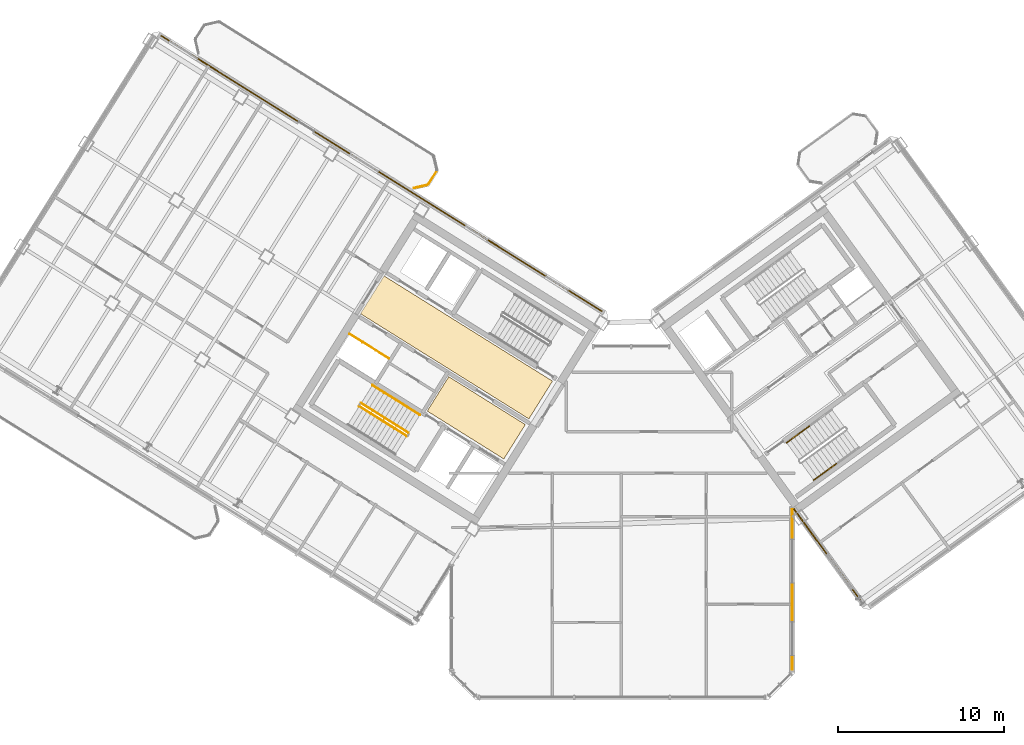
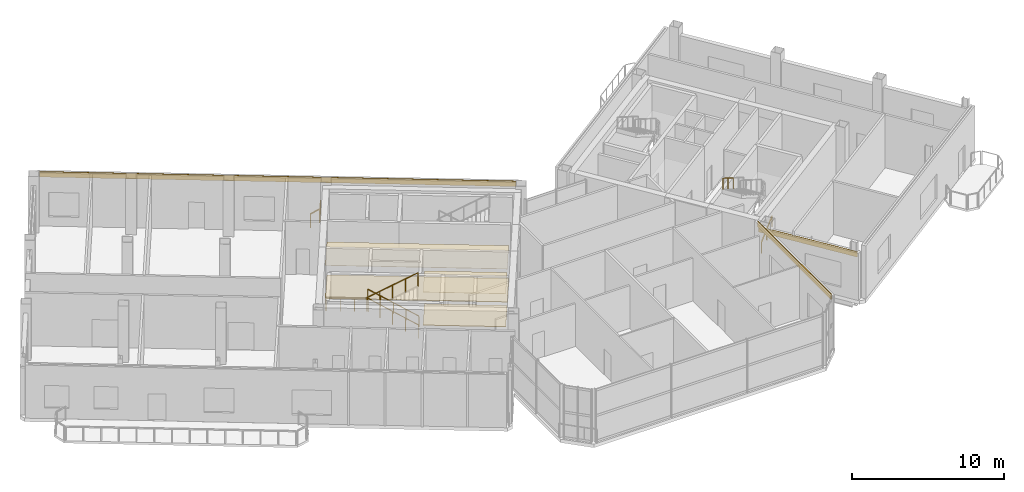
# One storey, part 24 of 27: 9 railings, 7 coverings.
"""IFC4 building model written with IfcOpenShell, lengths in metres."""

from ifc_helpers import new_model, si_unit, direction, frame, origin, origin_2d, place, context, subcontext, project, spatial, polyline, rectangle, outline, extrude, source, transform, mapped, material, layer, layer_set, type_object, element, save


model = new_model("IFC4")

# Units and contexts
model_context = context("Model", 3, precision=1e-05, world=origin(), true_north=direction((0.0, 1.0)))
body_context = subcontext(model_context, "Body", "Model", "MODEL_VIEW")
ifc_project = project(units=[si_unit("LENGTHUNIT", "METRE"), si_unit("AREAUNIT", "SQUARE_METRE"), si_unit("VOLUMEUNIT", "CUBIC_METRE"), si_unit("PLANEANGLEUNIT", "RADIAN"), si_unit("MASSUNIT", "GRAM", prefix="KILO")], contexts=[model_context])

# Site, building, storey
site_placement = place(None, origin())
site = spatial("IfcSite", under=ifc_project, at=site_placement, CompositionType="ELEMENT")
building_placement = place(site_placement, origin())
building = spatial("IfcBuilding", under=site, at=building_placement, Name="Tlacorven Tower", CompositionType="ELEMENT")
storey_placement = place(building_placement, frame((0.0, 0.0, 254.699951171875)))
storey = spatial("IfcBuildingStorey", under=building, at=storey_placement, Name="L64", CompositionType="ELEMENT", Elevation=254.699951171875)

# Coverings
ifc_material_1 = material(Name="Acoustic mineral-fibre ceiling")
ifc_layer_1 = layer(ifc_material_1, 0.02490234375)
ifc_layer_set_1 = layer_set([ifc_layer_1], Name="Acoustic mineral-fibre ceiling")
covering_type_1 = type_object("IfcCoveringType", Name="CV-CLG-ACST", PredefinedType="CEILING", material=ifc_layer_set_1)
covering_1_placement = place(storey_placement, frame((0.0, 0.0, 2.650146484375)))
element("IfcCovering", 1, at=covering_1_placement, inside=storey, type_object=covering_type_1, Name="L64 Acoustic Suspended Ceiling 1", PredefinedType="CEILING", context=body_context, shape_type="SweptSolid", body=[
    extrude(outline(polyline([(36.185302734375, 18.35595703125), (34.892333984375, 16.286865234375), (30.287353515625, 19.164306640625), (31.580322265625, 21.2333984375), (36.185302734375, 18.35595703125)])), origin(), (0.0, 0.0, 1.0), 0.02490234375),
])
covering_2_placement = place(storey_placement, frame((0.0, 0.0, 2.650146484375)))
element("IfcCovering", 2, at=covering_2_placement, inside=storey, type_object=covering_type_1, Name="L64 Acoustic Suspended Ceiling 2", PredefinedType="CEILING", context=body_context, shape_type="SweptSolid", body=[
    extrude(outline(polyline([(37.8173828125, 20.968017578125), (36.397216796875, 18.6953125), (26.271484375, 25.0224609375), (27.691650390625, 27.295166015625), (37.8173828125, 20.968017578125)])), origin(), (0.0, 0.0, 1.0), 0.02490234375),
])
ifc_material_2 = material(Name="Terrazzo and ceramic flooring")
ifc_layer_2 = layer(ifc_material_2, 0.0400390625)
ifc_layer_set_2 = layer_set([ifc_layer_2], Name="Terrazzo and ceramic flooring")
covering_type_2 = type_object("IfcCoveringType", Name="CV-FLR-TERZ", PredefinedType="FLOORING", material=ifc_layer_set_2)
covering_3_placement = place(storey_placement, origin())
element("IfcCovering", 3, at=covering_3_placement, inside=storey, type_object=covering_type_2, Name="L64 Terrazzo Floor Finish 1", PredefinedType="FLOORING", context=body_context, shape_type="SweptSolid", body=[
    extrude(outline(polyline([(36.185302734375, 18.35595703125), (34.892333984375, 16.286865234375), (30.287353515625, 19.164306640625), (31.580322265625, 21.2333984375), (36.185302734375, 18.35595703125)])), origin(), (0.0, 0.0, 1.0), 0.0400390625),
])
covering_4_placement = place(storey_placement, origin())
element("IfcCovering", 4, at=covering_4_placement, inside=storey, type_object=covering_type_2, Name="L64 Terrazzo Floor Finish 2", PredefinedType="FLOORING", context=body_context, shape_type="SweptSolid", body=[
    extrude(outline(polyline([(37.8173828125, 20.968017578125), (36.397216796875, 18.6953125), (26.271484375, 25.0224609375), (27.691650390625, 27.295166015625), (37.8173828125, 20.968017578125)])), origin(), (0.0, 0.0, 1.0), 0.0400390625),
])

# Railings
ifc_material_3 = material(Name="Aluminium and painted steel balustrade", Category="steel")
railing_type_1 = type_object("IfcRailingType", Name="RL-GRD-1100", PredefinedType="GUARDRAIL", material=ifc_material_3)
shared_shape_1 = source(origin(), body_context, "Body", "SweptSolid", [
    extrude(rectangle(XDim=0.048095703125, YDim=0.048095703125, at=origin_2d()), frame((0.0, 0.0, 1.076171875), z_axis=(-0.848091358275, 0.529850024081, 0.0), x_axis=(-0.529850024081, -0.848091358275, 0.0)), (0.0, 0.0, 1.0), 2.800048828125),
    extrude(rectangle(XDim=0.0419921875, YDim=0.0419921875, at=origin_2d()), origin(), (0.0, 0.0, 1.0), 1.052001953125),
    extrude(rectangle(XDim=0.0419921875, YDim=0.0419921875, at=origin_2d()), frame((-0.79150390625, 0.49462890625, 0.0)), (0.0, 0.0, 1.0), 1.052001953125),
    extrude(rectangle(XDim=0.0419921875, YDim=0.0419921875, at=origin_2d()), frame((-1.583251953125, 0.989013671875, 0.0)), (0.0, 0.0, 1.0), 1.052001953125),
    extrude(rectangle(XDim=0.0419921875, YDim=0.0419921875, at=origin_2d()), frame((-2.374755859375, 1.483642578125, 0.0)), (0.0, 0.0, 1.0), 1.052001953125),
])
railing_1_placement = place(storey_placement, frame((27.9912109375, 22.32080078125, 0.0)))
element("IfcRailing", 5, at=railing_1_placement, inside=storey, type_object=railing_type_1, Name="L64 Electrical Riser W Shaft Guard 1", PredefinedType="GUARDRAIL", context=body_context, shape_type="MappedRepresentation", body=[
    mapped(shared_shape_1, transform((0.0, 0.0, 0.0), scale=1.0)),
])
railing_type_2 = type_object("IfcRailingType", Name="RL-BAL-1100", PredefinedType="BALUSTRADE", material=ifc_material_3)
shared_shape_2 = source(origin(), body_context, "Body", "SweptSolid", [
    extrude(rectangle(XDim=0.048095703125, YDim=0.048095703125, at=origin_2d()), frame((0.0, 0.0, 1.076171875), z_axis=(-0.52987865805, -0.848073468364, 0.0), x_axis=(0.848073468364, -0.52987865805, 0.0)), (0.0, 0.0, 1.0), 0.912353515625),
    extrude(rectangle(XDim=0.0419921875, YDim=0.0419921875, at=origin_2d()), origin(), (0.0, 0.0, 1.0), 1.052001953125),
    extrude(rectangle(XDim=0.0419921875, YDim=0.0419921875, at=origin_2d()), frame((-0.4833984375, -0.773681640625, 0.0)), (0.0, 0.0, 1.0), 1.052001953125),
])
railing_2_placement = place(storey_placement, frame((30.845947265625, 33.588623046875, 0.0)))
element("IfcRailing", 6, at=railing_2_placement, inside=storey, type_object=railing_type_2, Name="BAL-L64-W-IN Guard Railing 2", PredefinedType="BALUSTRADE", context=body_context, shape_type="MappedRepresentation", body=[
    mapped(shared_shape_2, transform((0.0, 0.0, 0.0), scale=1.0)),
])
shared_shape_3 = source(origin(), body_context, "Body", "SweptSolid", [
    extrude(rectangle(XDim=0.048095703125, YDim=0.048095703125, at=origin_2d()), frame((0.0, 0.0, 1.076171875), z_axis=(-0.974345290916, -0.225058334816, 0.0), x_axis=(0.225058334816, -0.974345290916, 0.0)), (0.0, 0.0, 1.0), 0.80712890625),
    extrude(rectangle(XDim=0.0419921875, YDim=0.0419921875, at=origin_2d()), origin(), (0.0, 0.0, 1.0), 1.052001953125),
    extrude(rectangle(XDim=0.0419921875, YDim=0.0419921875, at=origin_2d()), frame((-0.786376953125, -0.181640625, 0.0)), (0.0, 0.0, 1.0), 1.052001953125),
])
railing_3_placement = place(storey_placement, frame((30.287353515625, 32.761474609375, 0.0)))
element("IfcRailing", 7, at=railing_3_placement, inside=storey, type_object=railing_type_2, Name="BAL-L64-W-IN Guard Railing 3", PredefinedType="BALUSTRADE", context=body_context, shape_type="MappedRepresentation", body=[
    mapped(shared_shape_3, transform((0.0, 0.0, 0.0), scale=1.0)),
])

# Coverings
ifc_material_4 = material(Name="Precast concrete C45/55", Category="concrete")
ifc_layer_3 = layer(ifc_material_4, 0.06005859375)
ifc_layer_set_3 = layer_set([ifc_layer_3], Name="Precast concrete C45/55")
covering_type_3 = type_object("IfcCoveringType", Name="CV-CLD-TERC", PredefinedType="CLADDING", material=ifc_layer_set_3)
shared_shape_4 = source(origin(), body_context, "Body", "SweptSolid", [
    extrude(rectangle(XDim=31.287353515625, YDim=0.06005859375, at=origin_2d()), origin(), (0.0, 0.0, 1.0), 0.419921875),
])
covering_5_placement = place(storey_placement, frame((27.5322265625, 33.455810546875, 3.830078125), z_axis=(0.0, 0.0, 1.0), x_axis=(0.84804812172, -0.529919223323, 0.0)))
element("IfcCovering", 8, at=covering_5_placement, inside=storey, type_object=covering_type_3, Name="L64 Masonry-Frame Spandrel Cladding 3", PredefinedType="CLADDING", context=body_context, shape_type="MappedRepresentation", body=[
    mapped(shared_shape_4, transform((0.0, 0.0, 0.0), scale=1.0)),
])
shared_shape_5 = source(origin(), body_context, "Body", "SweptSolid", [
    extrude(rectangle(XDim=9.647705078125, YDim=0.06005859375, at=origin_2d()), origin(), (0.0, 0.0, 1.0), 0.419921875),
])
covering_6_placement = place(storey_placement, frame((52.239990234375, 8.440185546875, 3.830078125), z_axis=(0.0, 0.0, 1.0), x_axis=(0.0, -1.0, 0.0)))
element("IfcCovering", 9, at=covering_6_placement, inside=storey, type_object=covering_type_3, Name="L64 Masonry-Frame Spandrel Cladding 8", PredefinedType="CLADDING", context=body_context, shape_type="MappedRepresentation", body=[
    mapped(shared_shape_5, transform((0.0, 0.0, 0.0), scale=1.0)),
])
shared_shape_6 = source(origin(), body_context, "Body", "SweptSolid", [
    extrude(rectangle(XDim=7.08544921875, YDim=0.06005859375, at=origin_2d()), origin(), (0.0, 0.0, 1.0), 0.419921875),
])
covering_7_placement = place(storey_placement, frame((54.41064453125, 10.426513671875, 3.35498046875), z_axis=(0.0, 0.0, 1.0), x_axis=(-0.587785622053, 0.809016725728, 0.0)))
element("IfcCovering", 10, at=covering_7_placement, inside=storey, type_object=covering_type_3, Name="L64 Masonry-Frame Spandrel Cladding 7", PredefinedType="CLADDING", context=body_context, shape_type="MappedRepresentation", body=[
    mapped(shared_shape_6, transform((0.0, 0.0, 0.0), scale=1.0)),
])

# Railings
shared_shape_7 = source(origin(), body_context, "Body", "SweptSolid", [
    extrude(rectangle(XDim=0.048095703125, YDim=0.048095703125, at=origin_2d()), frame((0.0, 0.0, 1.076171875), z_axis=(-0.721354668439, 0.45076168254, 0.525795918465), x_axis=(-0.529927092104, -0.84804320471, 0.0)), (0.0, 0.0, 1.0), 3.949951171875),
    extrude(rectangle(XDim=0.0419921875, YDim=0.0419921875, at=origin_2d()), origin(), (0.0, 0.0, 1.0), 1.052001953125),
    extrude(rectangle(XDim=0.0419921875, YDim=0.0419921875, at=origin_2d()), frame((-0.71240234375, 0.445068359375, 0.519287109375)), (0.0, 0.0, 1.0), 1.052001953125),
    extrude(rectangle(XDim=0.0419921875, YDim=0.0419921875, at=origin_2d()), frame((-1.4248046875, 0.89013671875, 1.03857421875)), (0.0, 0.0, 1.0), 1.052001953125),
    extrude(rectangle(XDim=0.0419921875, YDim=0.0419921875, at=origin_2d()), frame((-2.136962890625, 1.33544921875, 1.5576171875)), (0.0, 0.0, 1.0), 1.052001953125),
    extrude(rectangle(XDim=0.0419921875, YDim=0.0419921875, at=origin_2d()), frame((-2.849365234375, 1.780517578125, 2.076904296875)), (0.0, 0.0, 1.0), 1.052001953125),
])
railing_4_placement = place(storey_placement, frame((29.16064453125, 17.851806640625, 0.173095703125)))
element("IfcRailing", 11, at=railing_4_placement, inside=storey, type_object=railing_type_1, Name="L64 ST-W1 stair guard 1", PredefinedType="GUARDRAIL", context=body_context, shape_type="MappedRepresentation", body=[
    mapped(shared_shape_7, transform((0.0, 0.0, 0.0), scale=1.0)),
])
shared_shape_8 = source(origin(), body_context, "Body", "SweptSolid", [
    extrude(rectangle(XDim=0.048095703125, YDim=0.048095703125, at=origin_2d()), frame((0.0, 0.0, 1.076171875), z_axis=(0.721384312238, -0.450741585774, 0.525772476372), x_axis=(0.52989443915, 0.848063608085, 0.0)), (0.0, 0.0, 1.0), 3.9501953125),
    extrude(rectangle(XDim=0.0419921875, YDim=0.0419921875, at=origin_2d()), origin(), (0.0, 0.0, 1.0), 1.052001953125),
    extrude(rectangle(XDim=0.0419921875, YDim=0.0419921875, at=origin_2d()), frame((0.71240234375, -0.445068359375, 0.519287109375)), (0.0, 0.0, 1.0), 1.052001953125),
    extrude(rectangle(XDim=0.0419921875, YDim=0.0419921875, at=origin_2d()), frame((1.4248046875, -0.89013671875, 1.03857421875)), (0.0, 0.0, 1.0), 1.052001953125),
    extrude(rectangle(XDim=0.0419921875, YDim=0.0419921875, at=origin_2d()), frame((2.13720703125, -1.33544921875, 1.5576171875)), (0.0, 0.0, 1.0), 1.052001953125),
    extrude(rectangle(XDim=0.0419921875, YDim=0.0419921875, at=origin_2d()), frame((2.849609375, -1.780517578125, 2.076904296875)), (0.0, 0.0, 1.0), 1.052001953125),
])
railing_5_placement = place(storey_placement, frame((26.194580078125, 19.44580078125, 2.423095703125)))
element("IfcRailing", 12, at=railing_5_placement, inside=storey, type_object=railing_type_1, Name="L64 ST-W1 stair guard 3", PredefinedType="GUARDRAIL", context=body_context, shape_type="MappedRepresentation", body=[
    mapped(shared_shape_8, transform((0.0, 0.0, 0.0), scale=1.0)),
])
railing_type_3 = type_object("IfcRailingType", Name="RL-HND-0900", PredefinedType="HANDRAIL", material=ifc_material_3)
shared_shape_9 = source(origin(), body_context, "Body", "SweptSolid", [
    extrude(rectangle(XDim=0.048095703125, YDim=0.048095703125, at=origin_2d()), frame((0.0, 0.0, 0.8759765625), z_axis=(-0.721340775611, 0.4507761838, 0.52580254617), x_axis=(-0.529946692594, -0.848030956397, 0.0)), (0.0, 0.0, 1.0), 1.97509765625),
    extrude(rectangle(XDim=0.0419921875, YDim=0.0419921875, at=origin_2d()), origin(), (0.0, 0.0, 1.0), 0.851806640625),
    extrude(rectangle(XDim=0.0419921875, YDim=0.0419921875, at=origin_2d()), frame((-0.71240234375, 0.4453125, 0.519287109375)), (0.0, 0.0, 1.0), 0.851806640625),
    extrude(rectangle(XDim=0.0419921875, YDim=0.0419921875, at=origin_2d()), frame((-1.4248046875, 0.890380859375, 1.03857421875)), (0.0, 0.0, 1.0), 0.851806640625),
])
railing_6_placement = place(storey_placement, frame((29.839111328125, 18.937255859375, 0.173095703125)))
element("IfcRailing", 13, at=railing_6_placement, inside=storey, type_object=railing_type_3, Name="L64 ST-W1 stair handrail 1", PredefinedType="HANDRAIL", context=body_context, shape_type="MappedRepresentation", body=[
    mapped(shared_shape_9, transform((0.0, 0.0, 0.0), scale=1.0)),
])
shared_shape_10 = source(origin(), body_context, "Body", "SweptSolid", [
    extrude(rectangle(XDim=0.048095703125, YDim=0.048095703125, at=origin_2d()), frame((0.0, 0.0, 0.8759765625), z_axis=(-0.721427851237, 0.45070698177, 0.525742400842), x_axis=(-0.52984217967, -0.848096259066, 0.0)), (0.0, 0.0, 1.0), 1.97509765625),
    extrude(rectangle(XDim=0.0419921875, YDim=0.0419921875, at=origin_2d()), origin(), (0.0, 0.0, 1.0), 0.851806640625),
    extrude(rectangle(XDim=0.0419921875, YDim=0.0419921875, at=origin_2d()), frame((-0.71240234375, 0.445068359375, 0.51904296875)), (0.0, 0.0, 1.0), 0.851806640625),
    extrude(rectangle(XDim=0.0419921875, YDim=0.0419921875, at=origin_2d()), frame((-1.4248046875, 0.89013671875, 1.038330078125)), (0.0, 0.0, 1.0), 0.851806640625),
])
railing_7_placement = place(storey_placement, frame((28.414306640625, 19.82763671875, 1.211669921875)))
element("IfcRailing", 14, at=railing_7_placement, inside=storey, type_object=railing_type_3, Name="L64 ST-W1 stair handrail 2", PredefinedType="HANDRAIL", context=body_context, shape_type="MappedRepresentation", body=[
    mapped(shared_shape_10, transform((0.0, 0.0, 0.0), scale=1.0)),
])
shared_shape_11 = source(origin(), body_context, "Body", "SweptSolid", [
    extrude(rectangle(XDim=0.048095703125, YDim=0.048095703125, at=origin_2d()), frame((0.0, 0.0, 0.8759765625), z_axis=(0.688123352181, 0.499992627909, 0.525826610414), x_axis=(-0.587817375869, 0.808993654256, 0.0)), (0.0, 0.0, 1.0), 1.97509765625),
    extrude(rectangle(XDim=0.0419921875, YDim=0.0419921875, at=origin_2d()), origin(), (0.0, 0.0, 1.0), 0.851806640625),
    extrude(rectangle(XDim=0.0419921875, YDim=0.0419921875, at=origin_2d()), frame((0.6796875, 0.49365234375, 0.519287109375)), (0.0, 0.0, 1.0), 0.851806640625),
    extrude(rectangle(XDim=0.0419921875, YDim=0.0419921875, at=origin_2d()), frame((1.359130859375, 0.987548828125, 1.03857421875)), (0.0, 0.0, 1.0), 0.851806640625),
])
railing_8_placement = place(storey_placement, frame((53.53369140625, 15.01904296875, 0.173095703125)))
element("IfcRailing", 15, at=railing_8_placement, inside=storey, type_object=railing_type_3, Name="L64 ST-E2 stair handrail 1", PredefinedType="HANDRAIL", context=body_context, shape_type="MappedRepresentation", body=[
    mapped(shared_shape_11, transform((0.0, 0.0, 0.0), scale=1.0)),
])
shared_shape_12 = source(origin(), body_context, "Body", "SweptSolid", [
    extrude(rectangle(XDim=0.048095703125, YDim=0.048095703125, at=origin_2d()), frame((0.0, 0.0, 0.8759765625), z_axis=(-0.688168076653, -0.500025124854, 0.525737170829), x_axis=(0.587817375869, -0.808993654256, 0.0)), (0.0, 0.0, 1.0), 1.97509765625),
    extrude(rectangle(XDim=0.0419921875, YDim=0.0419921875, at=origin_2d()), origin(), (0.0, 0.0, 1.0), 0.851806640625),
    extrude(rectangle(XDim=0.0419921875, YDim=0.0419921875, at=origin_2d()), frame((-0.6796875, -0.49365234375, 0.51904296875)), (0.0, 0.0, 1.0), 0.851806640625),
    extrude(rectangle(XDim=0.0419921875, YDim=0.0419921875, at=origin_2d()), frame((-1.359130859375, -0.987548828125, 1.038330078125)), (0.0, 0.0, 1.0), 0.851806640625),
])
railing_9_placement = place(storey_placement, frame((53.2587890625, 18.255615234375, 3.461669921875)))
element("IfcRailing", 16, at=railing_9_placement, inside=storey, type_object=railing_type_3, Name="L64 ST-E2 stair handrail 4", PredefinedType="HANDRAIL", context=body_context, shape_type="MappedRepresentation", body=[
    mapped(shared_shape_12, transform((0.0, 0.0, 0.0), scale=1.0)),
])

save(model, "model.ifc")
